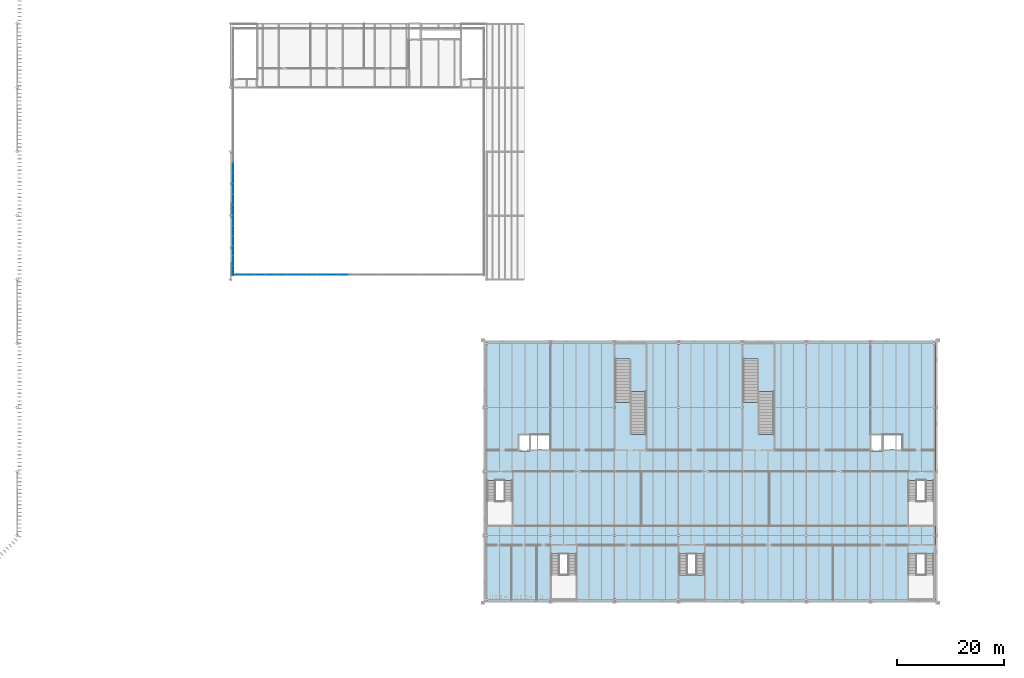
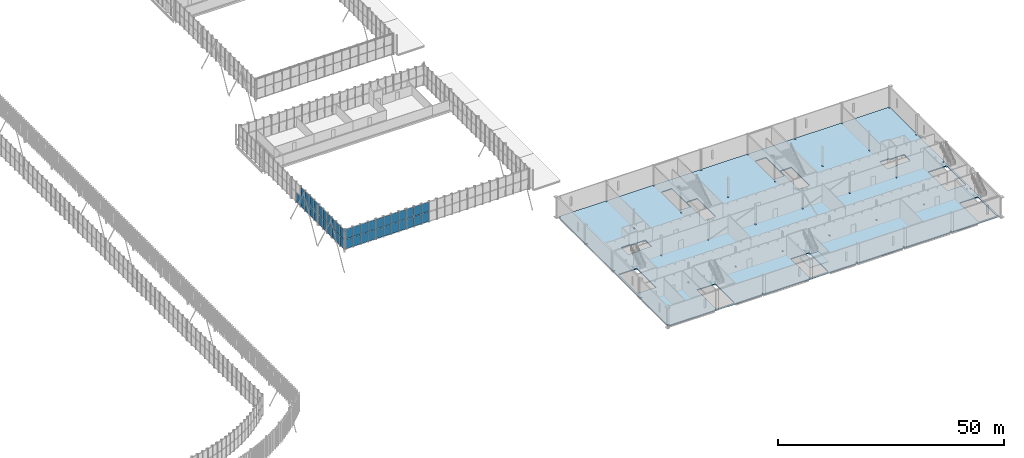
# One storey, part 91 of 170: 43 plates, 2 slabs, 6 elements without a shape of their own.
"""IFC4 building model written with IfcOpenShell, lengths in metres."""

from ifc_helpers import new_model, si_unit, direction, frame, origin, origin_2d, place, context, subcontext, project, spatial, polyline, rectangle, outline, extrude, material, layer, layer_set, type_object, element, aggregate, save


model = new_model("IFC4")

# Units and contexts
model_context = context("Model", 3, precision=1e-05, world=origin(), true_north=direction((0.0, 1.0)))
body_context = subcontext(model_context, "Body", "Model", "MODEL_VIEW")
ifc_project = project(units=[si_unit("LENGTHUNIT", "METRE"), si_unit("AREAUNIT", "SQUARE_METRE"), si_unit("VOLUMEUNIT", "CUBIC_METRE"), si_unit("PLANEANGLEUNIT", "RADIAN"), si_unit("MASSUNIT", "GRAM", prefix="KILO")], contexts=[model_context])

# Site, building, storey
site_placement = place(None, origin())
site = spatial("IfcSite", under=ifc_project, at=site_placement, CompositionType="ELEMENT")
building_placement = place(site_placement, origin())
building = spatial("IfcBuilding", under=site, at=building_placement, Name="Ravi Spectrum Wholesale Market", CompositionType="ELEMENT")
storey_placement = place(building_placement, frame((0.0, 0.0, 5.39990234375)))
storey = spatial("IfcBuildingStorey", under=building, at=storey_placement, Name="L01", CompositionType="ELEMENT", Elevation=5.39990234375)

# Slab
ifc_material_1 = material(Name="Concrete C35/45", Category="concrete")
ifc_layer_1 = layer(ifc_material_1, 0.25)
ifc_layer_set_1 = layer_set([ifc_layer_1], Name="Concrete C35/45")
slab_type_1 = type_object("IfcSlabType", Name="Composite deck slab 250", PredefinedType="FLOOR", material=ifc_layer_set_1)
slab_1_placement = place(storey_placement, frame((0.0, 0.0, -0.25)))
element("IfcSlab", 1, at=slab_1_placement, inside=storey, type_object=slab_type_1, Name="CS-SL-L01-001", PredefinedType="FLOOR", context=body_context, shape_type="SweptSolid", body=[
    extrude(outline(polyline([(197.75, 17.75), (197.75, 66.25), (282.25, 66.25), (282.25, 17.75), (197.75, 17.75)]), holes=[polyline([(197.85009765625, 17.830078125), (198.14990234375, 17.830078125), (198.14990234375, 18.169921875), (197.85009765625, 18.169921875), (197.85009765625, 17.830078125)]), polyline([(210.14990234375, 26.5400390625), (210.14990234375, 18.169921875), (209.85009765625, 18.169921875), (209.85009765625, 17.830078125), (210.14990234375, 17.830078125), (210.14990234375, 18.14990234375), (214.85009765625, 18.14990234375), (214.85009765625, 26.5400390625), (210.14990234375, 26.5400390625)]), polyline([(221.85009765625, 29.800048828125), (222.14990234375, 29.800048828125), (222.14990234375, 30.199951171875), (221.85009765625, 30.199951171875), (221.85009765625, 29.800048828125)]), polyline([(197.85009765625, 30.169921875), (197.85009765625, 29.830078125), (198.14990234375, 29.830078125), (198.14990234375, 30.169921875), (197.85009765625, 30.169921875)]), polyline([(209.85009765625, 30.199951171875), (209.85009765625, 29.800048828125), (210.14990234375, 29.800048828125), (210.14990234375, 30.199951171875), (209.85009765625, 30.199951171875)]), polyline([(198.14990234375, 40.340087890625), (198.14990234375, 31.949951171875), (202.85009765625, 31.949951171875), (202.85009765625, 40.340087890625), (198.14990234375, 40.340087890625)]), polyline([(209.85009765625, 42.199951171875), (209.85009765625, 41.800048828125), (210.14990234375, 41.800048828125), (210.14990234375, 42.199951171875), (209.85009765625, 42.199951171875)]), polyline([(221.85009765625, 42.199951171875), (221.85009765625, 41.800048828125), (222.14990234375, 41.800048828125), (222.14990234375, 42.199951171875), (221.85009765625, 42.199951171875)]), polyline([(197.85009765625, 42.169921875), (197.85009765625, 41.830078125), (198.14990234375, 41.830078125), (198.14990234375, 42.169921875), (197.85009765625, 42.169921875)]), polyline([(209.89990234375, 46.10009765625), (209.89990234375, 48.85009765625), (206.27490234375, 48.85009765625), (206.27490234375, 49.074951171875), (203.875, 49.074951171875), (203.875, 45.875), (206.27490234375, 45.875), (206.27490234375, 46.10009765625), (209.89990234375, 46.10009765625)]), polyline([(209.85009765625, 54.199951171875), (209.85009765625, 53.800048828125), (210.14990234375, 53.800048828125), (210.14990234375, 54.199951171875), (209.85009765625, 54.199951171875)]), polyline([(197.85009765625, 53.830078125), (198.14990234375, 53.830078125), (198.14990234375, 54.169921875), (197.85009765625, 54.169921875), (197.85009765625, 53.830078125)]), polyline([(221.85009765625, 54.199951171875), (221.85009765625, 53.800048828125), (222.14990234375, 53.800048828125), (222.14990234375, 54.199951171875), (221.85009765625, 54.199951171875)]), polyline([(197.85009765625, 66.169921875), (197.85009765625, 65.830078125), (198.14990234375, 65.830078125), (198.14990234375, 66.169921875), (197.85009765625, 66.169921875)]), polyline([(209.85009765625, 65.830078125), (210.14990234375, 65.830078125), (210.14990234375, 66.169921875), (209.85009765625, 66.169921875), (209.85009765625, 65.830078125)]), polyline([(221.85009765625, 66.169921875), (221.85009765625, 65.830078125), (222.14990234375, 65.830078125), (222.14990234375, 66.169921875), (221.85009765625, 66.169921875)]), polyline([(245.85009765625, 18.169921875), (245.85009765625, 17.830078125), (246.14990234375, 17.830078125), (246.14990234375, 18.169921875), (245.85009765625, 18.169921875)]), polyline([(257.85009765625, 17.830078125), (258.14990234375, 17.830078125), (258.14990234375, 18.169921875), (257.85009765625, 18.169921875), (257.85009765625, 17.830078125)]), polyline([(221.85009765625, 18.169921875), (221.85009765625, 17.830078125), (222.14990234375, 17.830078125), (222.14990234375, 18.169921875), (221.85009765625, 18.169921875)]), polyline([(233.85009765625, 18.169921875), (233.85009765625, 17.830078125), (234.14990234375, 17.830078125), (234.14990234375, 18.14990234375), (238.85009765625, 18.14990234375), (238.85009765625, 26.5400390625), (234.14990234375, 26.5400390625), (234.14990234375, 18.169921875), (233.85009765625, 18.169921875)]), polyline([(233.85009765625, 30.199951171875), (233.85009765625, 29.800048828125), (234.14990234375, 29.800048828125), (234.14990234375, 30.199951171875), (233.85009765625, 30.199951171875)]), polyline([(245.85009765625, 30.199951171875), (245.85009765625, 29.800048828125), (246.14990234375, 29.800048828125), (246.14990234375, 30.199951171875), (245.85009765625, 30.199951171875)]), polyline([(257.85009765625, 30.199951171875), (257.85009765625, 29.800048828125), (258.14990234375, 29.800048828125), (258.14990234375, 30.199951171875), (257.85009765625, 30.199951171875)]), polyline([(233.85009765625, 41.800048828125), (234.14990234375, 41.800048828125), (234.14990234375, 42.199951171875), (233.85009765625, 42.199951171875), (233.85009765625, 41.800048828125)]), polyline([(245.85009765625, 42.199951171875), (245.85009765625, 41.800048828125), (246.14990234375, 41.800048828125), (246.14990234375, 42.199951171875), (245.85009765625, 42.199951171875)]), polyline([(225.10009765625, 48.905029296875), (227.85009765625, 48.905029296875), (227.85009765625, 57.014892578125), (225.10009765625, 57.014892578125), (225.10009765625, 48.905029296875)]), polyline([(251.85009765625, 48.905029296875), (251.85009765625, 57.014892578125), (249.10009765625, 57.014892578125), (249.10009765625, 48.905029296875), (251.85009765625, 48.905029296875)]), polyline([(233.85009765625, 54.199951171875), (233.85009765625, 53.800048828125), (234.14990234375, 53.800048828125), (234.14990234375, 54.199951171875), (233.85009765625, 54.199951171875)]), polyline([(245.85009765625, 54.199951171875), (245.85009765625, 53.800048828125), (246.14990234375, 53.800048828125), (246.14990234375, 54.199951171875), (245.85009765625, 54.199951171875)]), polyline([(248.89990234375, 54.985107421875), (248.89990234375, 63.094970703125), (246.14990234375, 63.094970703125), (246.14990234375, 54.985107421875), (248.89990234375, 54.985107421875)]), polyline([(222.14990234375, 54.985107421875), (224.89990234375, 54.985107421875), (224.89990234375, 63.094970703125), (222.14990234375, 63.094970703125), (222.14990234375, 54.985107421875)]), polyline([(233.85009765625, 66.169921875), (233.85009765625, 65.830078125), (234.14990234375, 65.830078125), (234.14990234375, 66.169921875), (233.85009765625, 66.169921875)]), polyline([(245.85009765625, 66.169921875), (245.85009765625, 65.830078125), (246.14990234375, 65.830078125), (246.14990234375, 66.169921875), (245.85009765625, 66.169921875)]), polyline([(281.85009765625, 18.14990234375), (281.85009765625, 17.830078125), (282.14990234375, 17.830078125), (282.14990234375, 18.169921875), (281.85009765625, 18.169921875), (281.85009765625, 26.5400390625), (277.14990234375, 26.5400390625), (277.14990234375, 18.14990234375), (281.85009765625, 18.14990234375)]), polyline([(269.85009765625, 18.169921875), (269.85009765625, 17.830078125), (270.14990234375, 17.830078125), (270.14990234375, 18.169921875), (269.85009765625, 18.169921875)]), polyline([(281.85009765625, 29.830078125), (282.14990234375, 29.830078125), (282.14990234375, 30.169921875), (281.85009765625, 30.169921875), (281.85009765625, 29.830078125)]), polyline([(269.85009765625, 30.199951171875), (269.85009765625, 29.800048828125), (270.14990234375, 29.800048828125), (270.14990234375, 30.199951171875), (269.85009765625, 30.199951171875)]), polyline([(281.85009765625, 40.340087890625), (277.14990234375, 40.340087890625), (277.14990234375, 31.949951171875), (281.85009765625, 31.949951171875), (281.85009765625, 40.340087890625)]), polyline([(281.85009765625, 42.169921875), (281.85009765625, 41.830078125), (282.14990234375, 41.830078125), (282.14990234375, 42.169921875), (281.85009765625, 42.169921875)]), polyline([(269.85009765625, 42.199951171875), (269.85009765625, 41.800048828125), (270.14990234375, 41.800048828125), (270.14990234375, 42.199951171875), (269.85009765625, 42.199951171875)]), polyline([(257.85009765625, 42.199951171875), (257.85009765625, 41.800048828125), (258.14990234375, 41.800048828125), (258.14990234375, 42.199951171875), (257.85009765625, 42.199951171875)]), polyline([(269.875, 49.074951171875), (269.875, 45.875), (272.27490234375, 45.875), (272.27490234375, 46.10009765625), (275.89990234375, 46.10009765625), (275.89990234375, 48.85009765625), (272.27490234375, 48.85009765625), (272.27490234375, 49.074951171875), (269.875, 49.074951171875)]), polyline([(269.85009765625, 54.199951171875), (269.85009765625, 53.800048828125), (270.14990234375, 53.800048828125), (270.14990234375, 54.199951171875), (269.85009765625, 54.199951171875)]), polyline([(281.85009765625, 54.169921875), (281.85009765625, 53.830078125), (282.14990234375, 53.830078125), (282.14990234375, 54.169921875), (281.85009765625, 54.169921875)]), polyline([(257.85009765625, 54.199951171875), (257.85009765625, 53.800048828125), (258.14990234375, 53.800048828125), (258.14990234375, 54.199951171875), (257.85009765625, 54.199951171875)]), polyline([(281.85009765625, 66.169921875), (281.85009765625, 65.830078125), (282.14990234375, 65.830078125), (282.14990234375, 66.169921875), (281.85009765625, 66.169921875)]), polyline([(269.85009765625, 66.169921875), (269.85009765625, 65.830078125), (270.14990234375, 65.830078125), (270.14990234375, 66.169921875), (269.85009765625, 66.169921875)]), polyline([(257.85009765625, 66.169921875), (257.85009765625, 65.830078125), (258.14990234375, 65.830078125), (258.14990234375, 66.169921875), (257.85009765625, 66.169921875)])]), origin(), (0.0, 0.0, 1.0), 0.25),
])

# Curtain wall, plates
ifc_material_2 = material(Name="Aluminium 6063-T6", Category="aluminium")
ifc_layer_2 = layer(ifc_material_2, 0.14990234375)
ifc_layer_set_2 = layer_set([ifc_layer_2], Name="Aluminium 6063-T6")
curtain_wall_type = type_object("IfcCurtainWallType", Name="Curtain wall 150", PredefinedType="NOTDEFINED", material=ifc_layer_set_2)
curtain_wall_1_placement = place(storey_placement, origin())
curtain_wall_1 = element("IfcCurtainWall", 2, at=curtain_wall_1_placement, inside=storey, type_object=curtain_wall_type, Name="H2-CW-L01-001", PredefinedType="NOTDEFINED")
ifc_material_3 = material(Name="Toughened glass", Category="glass")
ifc_layer_3 = layer(ifc_material_3, 0.028076171875)
ifc_layer_set_3 = layer_set([ifc_layer_3], Name="Toughened glass")
plate_type_1 = type_object("IfcPlateType", Name="Glazing panel 28", PredefinedType="CURTAIN_PANEL", material=ifc_layer_set_3)
plate_1_placement = place(storey_placement, frame((150.453125, 79.66259765625, 0.06005859375), z_axis=(0.0, 0.0, 1.0), x_axis=(0.0, 1.0, 0.0)))
plate_1 = element("IfcPlate", 3, at=plate_1_placement, type_object=plate_type_1, Name="H2-CW-L01-001 panel 1.1", PredefinedType="CURTAIN_PANEL", context=body_context, shape_type="SweptSolid", body=[
    extrude(rectangle(XDim=1.784912109375, YDim=0.028076171875, at=origin_2d()), origin(), (0.0, 0.0, 1.0), 2.610107421875),
])
plate_2_placement = place(storey_placement, frame((150.453125, 79.66259765625, 2.72998046875), z_axis=(0.0, 0.0, 1.0), x_axis=(0.0, 1.0, 0.0)))
plate_2 = element("IfcPlate", 4, at=plate_2_placement, type_object=plate_type_1, Name="H2-CW-L01-001 panel 1.2", PredefinedType="CURTAIN_PANEL", context=body_context, shape_type="SweptSolid", body=[
    extrude(rectangle(XDim=1.784912109375, YDim=0.028076171875, at=origin_2d()), origin(), (0.0, 0.0, 1.0), 2.610107421875),
])
plate_3_placement = place(storey_placement, frame((150.453125, 81.5224609375, 2.72998046875), z_axis=(0.0, 0.0, 1.0), x_axis=(0.0, 1.0, 0.0)))
plate_3 = element("IfcPlate", 5, at=plate_3_placement, type_object=plate_type_1, Name="H2-CW-L01-001 panel 2.2", PredefinedType="CURTAIN_PANEL", context=body_context, shape_type="SweptSolid", body=[
    extrude(rectangle(XDim=1.81494140625, YDim=0.028076171875, at=origin_2d()), origin(), (0.0, 0.0, 1.0), 2.610107421875),
])
plate_4_placement = place(storey_placement, frame((150.453125, 83.3974609375, 0.06005859375), z_axis=(0.0, 0.0, 1.0), x_axis=(0.0, 1.0, 0.0)))
plate_4 = element("IfcPlate", 6, at=plate_4_placement, type_object=plate_type_1, Name="H2-CW-L01-001 panel 3.1", PredefinedType="CURTAIN_PANEL", context=body_context, shape_type="SweptSolid", body=[
    extrude(rectangle(XDim=1.81494140625, YDim=0.028076171875, at=origin_2d()), origin(), (0.0, 0.0, 1.0), 2.610107421875),
])
plate_5_placement = place(storey_placement, frame((150.453125, 87.1474609375, 2.72998046875), z_axis=(0.0, 0.0, 1.0), x_axis=(0.0, 1.0, 0.0)))
plate_5 = element("IfcPlate", 7, at=plate_5_placement, type_object=plate_type_1, Name="H2-CW-L01-001 panel 5.2", PredefinedType="CURTAIN_PANEL", context=body_context, shape_type="SweptSolid", body=[
    extrude(rectangle(XDim=1.81494140625, YDim=0.028076171875, at=origin_2d()), origin(), (0.0, 0.0, 1.0), 2.610107421875),
])
plate_6_placement = place(storey_placement, frame((150.453125, 89.007568359375, 0.06005859375), z_axis=(0.0, 0.0, 1.0), x_axis=(0.0, 1.0, 0.0)))
plate_6 = element("IfcPlate", 8, at=plate_6_placement, type_object=plate_type_1, Name="H2-CW-L01-001 panel 6.1", PredefinedType="CURTAIN_PANEL", context=body_context, shape_type="SweptSolid", body=[
    extrude(rectangle(XDim=1.784912109375, YDim=0.028076171875, at=origin_2d()), origin(), (0.0, 0.0, 1.0), 2.610107421875),
])

curtain_wall_2_placement = place(storey_placement, origin())
curtain_wall_2 = element("IfcCurtainWall", 9, at=curtain_wall_2_placement, inside=storey, type_object=curtain_wall_type, Name="H2-CW-L01-002", PredefinedType="NOTDEFINED")
plate_7_placement = place(storey_placement, frame((150.453125, 91.04833984375, 0.06005859375), z_axis=(0.0, 0.0, 1.0), x_axis=(0.0, 1.0, 0.0)))
plate_7 = element("IfcPlate", 10, at=plate_7_placement, type_object=plate_type_1, Name="H2-CW-L01-002 panel 1.1", PredefinedType="CURTAIN_PANEL", context=body_context, shape_type="SweptSolid", body=[
    extrude(rectangle(XDim=1.896728515625, YDim=0.028076171875, at=origin_2d()), origin(), (0.0, 0.0, 1.0), 2.610107421875),
])
plate_8_placement = place(storey_placement, frame((150.453125, 93.02001953125, 2.72998046875), z_axis=(0.0, 0.0, 1.0), x_axis=(0.0, 1.0, 0.0)))
plate_8 = element("IfcPlate", 11, at=plate_8_placement, type_object=plate_type_1, Name="H2-CW-L01-002 panel 2.2", PredefinedType="CURTAIN_PANEL", context=body_context, shape_type="SweptSolid", body=[
    extrude(rectangle(XDim=1.9267578125, YDim=0.028076171875, at=origin_2d()), origin(), (0.0, 0.0, 1.0), 2.610107421875),
])

curtain_wall_3_placement = place(storey_placement, origin())
curtain_wall_3 = element("IfcCurtainWall", 12, at=curtain_wall_3_placement, inside=storey, type_object=curtain_wall_type, Name="H2-CW-L01-009", PredefinedType="NOTDEFINED")
plate_9_placement = place(storey_placement, frame((151.69970703125, 78.89990234375, 0.06005859375), z_axis=(0.0, 0.0, 1.0), x_axis=(1.0, 0.0, 0.0)))
plate_9 = element("IfcPlate", 13, at=plate_9_placement, type_object=plate_type_1, Name="H2-CW-L01-009 panel 1.1", PredefinedType="CURTAIN_PANEL", context=body_context, shape_type="SweptSolid", body=[
    extrude(rectangle(XDim=1.8330078125, YDim=0.028076171875, at=origin_2d()), origin(), (0.0, 0.0, 1.0), 2.610107421875),
])
plate_10_placement = place(storey_placement, frame((151.69970703125, 78.89990234375, 2.72998046875), z_axis=(0.0, 0.0, 1.0), x_axis=(1.0, 0.0, 0.0)))
plate_10 = element("IfcPlate", 14, at=plate_10_placement, type_object=plate_type_1, Name="H2-CW-L01-009 panel 1.2", PredefinedType="CURTAIN_PANEL", context=body_context, shape_type="SweptSolid", body=[
    extrude(rectangle(XDim=1.8330078125, YDim=0.028076171875, at=origin_2d()), origin(), (0.0, 0.0, 1.0), 2.610107421875),
])
plate_11_placement = place(storey_placement, frame((153.60791015625, 78.89990234375, 0.06005859375), z_axis=(0.0, 0.0, 1.0), x_axis=(1.0, 0.0, 0.0)))
plate_11 = element("IfcPlate", 15, at=plate_11_placement, type_object=plate_type_1, Name="H2-CW-L01-009 panel 2.1", PredefinedType="CURTAIN_PANEL", context=body_context, shape_type="SweptSolid", body=[
    extrude(rectangle(XDim=1.863037109375, YDim=0.028076171875, at=origin_2d()), origin(), (0.0, 0.0, 1.0), 2.610107421875),
])
plate_12_placement = place(storey_placement, frame((153.60791015625, 78.89990234375, 2.72998046875), z_axis=(0.0, 0.0, 1.0), x_axis=(1.0, 0.0, 0.0)))
plate_12 = element("IfcPlate", 16, at=plate_12_placement, type_object=plate_type_1, Name="H2-CW-L01-009 panel 2.2", PredefinedType="CURTAIN_PANEL", context=body_context, shape_type="SweptSolid", body=[
    extrude(rectangle(XDim=1.863037109375, YDim=0.028076171875, at=origin_2d()), origin(), (0.0, 0.0, 1.0), 2.610107421875),
])
plate_13_placement = place(storey_placement, frame((155.53076171875, 78.89990234375, 0.06005859375), z_axis=(0.0, 0.0, 1.0), x_axis=(1.0, 0.0, 0.0)))
plate_13 = element("IfcPlate", 17, at=plate_13_placement, type_object=plate_type_1, Name="H2-CW-L01-009 panel 3.1", PredefinedType="CURTAIN_PANEL", context=body_context, shape_type="SweptSolid", body=[
    extrude(rectangle(XDim=1.863037109375, YDim=0.028076171875, at=origin_2d()), origin(), (0.0, 0.0, 1.0), 2.610107421875),
])
plate_14_placement = place(storey_placement, frame((155.53076171875, 78.89990234375, 2.72998046875), z_axis=(0.0, 0.0, 1.0), x_axis=(1.0, 0.0, 0.0)))
plate_14 = element("IfcPlate", 18, at=plate_14_placement, type_object=plate_type_1, Name="H2-CW-L01-009 panel 3.2", PredefinedType="CURTAIN_PANEL", context=body_context, shape_type="SweptSolid", body=[
    extrude(rectangle(XDim=1.863037109375, YDim=0.028076171875, at=origin_2d()), origin(), (0.0, 0.0, 1.0), 2.610107421875),
])
plate_15_placement = place(storey_placement, frame((157.43896484375, 78.89990234375, 0.06005859375), z_axis=(0.0, 0.0, 1.0), x_axis=(1.0, 0.0, 0.0)))
plate_15 = element("IfcPlate", 19, at=plate_15_placement, type_object=plate_type_1, Name="H2-CW-L01-009 panel 4.1", PredefinedType="CURTAIN_PANEL", context=body_context, shape_type="SweptSolid", body=[
    extrude(rectangle(XDim=1.8330078125, YDim=0.028076171875, at=origin_2d()), origin(), (0.0, 0.0, 1.0), 2.610107421875),
])
plate_16_placement = place(storey_placement, frame((157.43896484375, 78.89990234375, 2.72998046875), z_axis=(0.0, 0.0, 1.0), x_axis=(1.0, 0.0, 0.0)))
plate_16 = element("IfcPlate", 20, at=plate_16_placement, type_object=plate_type_1, Name="H2-CW-L01-009 panel 4.2", PredefinedType="CURTAIN_PANEL", context=body_context, shape_type="SweptSolid", body=[
    extrude(rectangle(XDim=1.8330078125, YDim=0.028076171875, at=origin_2d()), origin(), (0.0, 0.0, 1.0), 2.610107421875),
])
aggregate(curtain_wall_3, [plate_9, plate_10, plate_11, plate_12, plate_13, plate_14, plate_15, plate_16])

curtain_wall_4_placement = place(storey_placement, origin())
curtain_wall_4 = element("IfcCurtainWall", 21, at=curtain_wall_4_placement, inside=storey, type_object=curtain_wall_type, Name="H2-CW-L01-010", PredefinedType="NOTDEFINED")
plate_17_placement = place(storey_placement, frame((159.471923828125, 78.89990234375, 0.06005859375), z_axis=(0.0, 0.0, 1.0), x_axis=(1.0, 0.0, 0.0)))
plate_17 = element("IfcPlate", 22, at=plate_17_placement, type_object=plate_type_1, Name="H2-CW-L01-010 panel 1.1", PredefinedType="CURTAIN_PANEL", context=body_context, shape_type="SweptSolid", body=[
    extrude(rectangle(XDim=1.8330078125, YDim=0.028076171875, at=origin_2d()), origin(), (0.0, 0.0, 1.0), 2.610107421875),
])
plate_18_placement = place(storey_placement, frame((159.471923828125, 78.89990234375, 2.72998046875), z_axis=(0.0, 0.0, 1.0), x_axis=(1.0, 0.0, 0.0)))
plate_18 = element("IfcPlate", 23, at=plate_18_placement, type_object=plate_type_1, Name="H2-CW-L01-010 panel 1.2", PredefinedType="CURTAIN_PANEL", context=body_context, shape_type="SweptSolid", body=[
    extrude(rectangle(XDim=1.8330078125, YDim=0.028076171875, at=origin_2d()), origin(), (0.0, 0.0, 1.0), 2.610107421875),
])
plate_19_placement = place(storey_placement, frame((161.380126953125, 78.89990234375, 0.06005859375), z_axis=(0.0, 0.0, 1.0), x_axis=(1.0, 0.0, 0.0)))
plate_19 = element("IfcPlate", 24, at=plate_19_placement, type_object=plate_type_1, Name="H2-CW-L01-010 panel 2.1", PredefinedType="CURTAIN_PANEL", context=body_context, shape_type="SweptSolid", body=[
    extrude(rectangle(XDim=1.863037109375, YDim=0.028076171875, at=origin_2d()), origin(), (0.0, 0.0, 1.0), 2.610107421875),
])
plate_20_placement = place(storey_placement, frame((161.380126953125, 78.89990234375, 2.72998046875), z_axis=(0.0, 0.0, 1.0), x_axis=(1.0, 0.0, 0.0)))
plate_20 = element("IfcPlate", 25, at=plate_20_placement, type_object=plate_type_1, Name="H2-CW-L01-010 panel 2.2", PredefinedType="CURTAIN_PANEL", context=body_context, shape_type="SweptSolid", body=[
    extrude(rectangle(XDim=1.863037109375, YDim=0.028076171875, at=origin_2d()), origin(), (0.0, 0.0, 1.0), 2.610107421875),
])
plate_21_placement = place(storey_placement, frame((163.30322265625, 78.89990234375, 0.06005859375), z_axis=(0.0, 0.0, 1.0), x_axis=(1.0, 0.0, 0.0)))
plate_21 = element("IfcPlate", 26, at=plate_21_placement, type_object=plate_type_1, Name="H2-CW-L01-010 panel 3.1", PredefinedType="CURTAIN_PANEL", context=body_context, shape_type="SweptSolid", body=[
    extrude(rectangle(XDim=1.863037109375, YDim=0.028076171875, at=origin_2d()), origin(), (0.0, 0.0, 1.0), 2.610107421875),
])
plate_22_placement = place(storey_placement, frame((163.30322265625, 78.89990234375, 2.72998046875), z_axis=(0.0, 0.0, 1.0), x_axis=(1.0, 0.0, 0.0)))
plate_22 = element("IfcPlate", 27, at=plate_22_placement, type_object=plate_type_1, Name="H2-CW-L01-010 panel 3.2", PredefinedType="CURTAIN_PANEL", context=body_context, shape_type="SweptSolid", body=[
    extrude(rectangle(XDim=1.863037109375, YDim=0.028076171875, at=origin_2d()), origin(), (0.0, 0.0, 1.0), 2.610107421875),
])
plate_23_placement = place(storey_placement, frame((165.211181640625, 78.89990234375, 0.06005859375), z_axis=(0.0, 0.0, 1.0), x_axis=(1.0, 0.0, 0.0)))
plate_23 = element("IfcPlate", 28, at=plate_23_placement, type_object=plate_type_1, Name="H2-CW-L01-010 panel 4.1", PredefinedType="CURTAIN_PANEL", context=body_context, shape_type="SweptSolid", body=[
    extrude(rectangle(XDim=1.8330078125, YDim=0.028076171875, at=origin_2d()), origin(), (0.0, 0.0, 1.0), 2.610107421875),
])
plate_24_placement = place(storey_placement, frame((165.211181640625, 78.89990234375, 2.72998046875), z_axis=(0.0, 0.0, 1.0), x_axis=(1.0, 0.0, 0.0)))
plate_24 = element("IfcPlate", 29, at=plate_24_placement, type_object=plate_type_1, Name="H2-CW-L01-010 panel 4.2", PredefinedType="CURTAIN_PANEL", context=body_context, shape_type="SweptSolid", body=[
    extrude(rectangle(XDim=1.8330078125, YDim=0.028076171875, at=origin_2d()), origin(), (0.0, 0.0, 1.0), 2.610107421875),
])
aggregate(curtain_wall_4, [plate_17, plate_18, plate_19, plate_20, plate_21, plate_22, plate_23, plate_24])

curtain_wall_5_placement = place(storey_placement, origin())
curtain_wall_5 = element("IfcCurtainWall", 30, at=curtain_wall_5_placement, inside=storey, type_object=curtain_wall_type, Name="H2-CW-L01-011", PredefinedType="NOTDEFINED")
plate_25_placement = place(storey_placement, frame((167.244384765625, 78.89990234375, 0.06005859375), z_axis=(0.0, 0.0, 1.0), x_axis=(1.0, 0.0, 0.0)))
plate_25 = element("IfcPlate", 31, at=plate_25_placement, type_object=plate_type_1, Name="H2-CW-L01-011 panel 1.1", PredefinedType="CURTAIN_PANEL", context=body_context, shape_type="SweptSolid", body=[
    extrude(rectangle(XDim=1.8330078125, YDim=0.028076171875, at=origin_2d()), origin(), (0.0, 0.0, 1.0), 2.610107421875),
])
plate_26_placement = place(storey_placement, frame((167.244384765625, 78.89990234375, 2.72998046875), z_axis=(0.0, 0.0, 1.0), x_axis=(1.0, 0.0, 0.0)))
plate_26 = element("IfcPlate", 32, at=plate_26_placement, type_object=plate_type_1, Name="H2-CW-L01-011 panel 1.2", PredefinedType="CURTAIN_PANEL", context=body_context, shape_type="SweptSolid", body=[
    extrude(rectangle(XDim=1.8330078125, YDim=0.028076171875, at=origin_2d()), origin(), (0.0, 0.0, 1.0), 2.610107421875),
])
plate_27_placement = place(storey_placement, frame((169.15234375, 78.89990234375, 0.06005859375), z_axis=(0.0, 0.0, 1.0), x_axis=(1.0, 0.0, 0.0)))
plate_27 = element("IfcPlate", 33, at=plate_27_placement, type_object=plate_type_1, Name="H2-CW-L01-011 panel 2.1", PredefinedType="CURTAIN_PANEL", context=body_context, shape_type="SweptSolid", body=[
    extrude(rectangle(XDim=1.863037109375, YDim=0.028076171875, at=origin_2d()), origin(), (0.0, 0.0, 1.0), 2.610107421875),
])
plate_28_placement = place(storey_placement, frame((169.15234375, 78.89990234375, 2.72998046875), z_axis=(0.0, 0.0, 1.0), x_axis=(1.0, 0.0, 0.0)))
plate_28 = element("IfcPlate", 34, at=plate_28_placement, type_object=plate_type_1, Name="H2-CW-L01-011 panel 2.2", PredefinedType="CURTAIN_PANEL", context=body_context, shape_type="SweptSolid", body=[
    extrude(rectangle(XDim=1.863037109375, YDim=0.028076171875, at=origin_2d()), origin(), (0.0, 0.0, 1.0), 2.610107421875),
])
plate_29_placement = place(storey_placement, frame((171.075439453125, 78.89990234375, 0.06005859375), z_axis=(0.0, 0.0, 1.0), x_axis=(1.0, 0.0, 0.0)))
plate_29 = element("IfcPlate", 35, at=plate_29_placement, type_object=plate_type_1, Name="H2-CW-L01-011 panel 3.1", PredefinedType="CURTAIN_PANEL", context=body_context, shape_type="SweptSolid", body=[
    extrude(rectangle(XDim=1.863037109375, YDim=0.028076171875, at=origin_2d()), origin(), (0.0, 0.0, 1.0), 2.610107421875),
])
plate_30_placement = place(storey_placement, frame((171.075439453125, 78.89990234375, 2.72998046875), z_axis=(0.0, 0.0, 1.0), x_axis=(1.0, 0.0, 0.0)))
plate_30 = element("IfcPlate", 36, at=plate_30_placement, type_object=plate_type_1, Name="H2-CW-L01-011 panel 3.2", PredefinedType="CURTAIN_PANEL", context=body_context, shape_type="SweptSolid", body=[
    extrude(rectangle(XDim=1.863037109375, YDim=0.028076171875, at=origin_2d()), origin(), (0.0, 0.0, 1.0), 2.610107421875),
])
aggregate(curtain_wall_5, [plate_25, plate_26, plate_27, plate_28, plate_29, plate_30])

# Plate
ifc_material_4 = material(Name="Insulated panel")
ifc_layer_4 = layer(ifc_material_4, 0.028076171875)
ifc_layer_set_4 = layer_set([ifc_layer_4], Name="Insulated panel")
plate_type_2 = type_object("IfcPlateType", Name="Opaque insulated panel 28", PredefinedType="CURTAIN_PANEL", material=ifc_layer_set_4)
plate_31_placement = place(storey_placement, frame((150.453125, 81.5224609375, 0.06005859375), z_axis=(0.0, 0.0, 1.0), x_axis=(0.0, 1.0, 0.0)))
plate_31 = element("IfcPlate", 37, at=plate_31_placement, type_object=plate_type_2, Name="H2-CW-L01-001 panel 2.1", PredefinedType="CURTAIN_PANEL", context=body_context, shape_type="SweptSolid", body=[
    extrude(rectangle(XDim=1.81494140625, YDim=0.028076171875, at=origin_2d()), origin(), (0.0, 0.0, 1.0), 2.610107421875),
])

plate_32_placement = place(storey_placement, frame((150.453125, 83.3974609375, 2.72998046875), z_axis=(0.0, 0.0, 1.0), x_axis=(0.0, 1.0, 0.0)))
plate_32 = element("IfcPlate", 38, at=plate_32_placement, type_object=plate_type_2, Name="H2-CW-L01-001 panel 3.2", PredefinedType="CURTAIN_PANEL", context=body_context, shape_type="SweptSolid", body=[
    extrude(rectangle(XDim=1.81494140625, YDim=0.028076171875, at=origin_2d()), origin(), (0.0, 0.0, 1.0), 2.610107421875),
])

plate_33_placement = place(storey_placement, frame((150.453125, 85.2724609375, 0.06005859375), z_axis=(0.0, 0.0, 1.0), x_axis=(0.0, 1.0, 0.0)))
plate_33 = element("IfcPlate", 39, at=plate_33_placement, type_object=plate_type_2, Name="H2-CW-L01-001 panel 4.1", PredefinedType="CURTAIN_PANEL", context=body_context, shape_type="SweptSolid", body=[
    extrude(rectangle(XDim=1.81494140625, YDim=0.028076171875, at=origin_2d()), origin(), (0.0, 0.0, 1.0), 2.610107421875),
])

plate_34_placement = place(storey_placement, frame((150.453125, 85.2724609375, 2.72998046875), z_axis=(0.0, 0.0, 1.0), x_axis=(0.0, 1.0, 0.0)))
plate_34 = element("IfcPlate", 40, at=plate_34_placement, type_object=plate_type_2, Name="H2-CW-L01-001 panel 4.2", PredefinedType="CURTAIN_PANEL", context=body_context, shape_type="SweptSolid", body=[
    extrude(rectangle(XDim=1.81494140625, YDim=0.028076171875, at=origin_2d()), origin(), (0.0, 0.0, 1.0), 2.610107421875),
])

plate_35_placement = place(storey_placement, frame((150.453125, 87.1474609375, 0.06005859375), z_axis=(0.0, 0.0, 1.0), x_axis=(0.0, 1.0, 0.0)))
plate_35 = element("IfcPlate", 41, at=plate_35_placement, type_object=plate_type_2, Name="H2-CW-L01-001 panel 5.1", PredefinedType="CURTAIN_PANEL", context=body_context, shape_type="SweptSolid", body=[
    extrude(rectangle(XDim=1.81494140625, YDim=0.028076171875, at=origin_2d()), origin(), (0.0, 0.0, 1.0), 2.610107421875),
])

plate_36_placement = place(storey_placement, frame((150.453125, 89.007568359375, 2.72998046875), z_axis=(0.0, 0.0, 1.0), x_axis=(0.0, 1.0, 0.0)))
plate_36 = element("IfcPlate", 42, at=plate_36_placement, type_object=plate_type_2, Name="H2-CW-L01-001 panel 6.2", PredefinedType="CURTAIN_PANEL", context=body_context, shape_type="SweptSolid", body=[
    extrude(rectangle(XDim=1.784912109375, YDim=0.028076171875, at=origin_2d()), origin(), (0.0, 0.0, 1.0), 2.610107421875),
])

aggregate(curtain_wall_1, [plate_1, plate_2, plate_31, plate_3, plate_4, plate_32, plate_33, plate_34, plate_35, plate_5, plate_6, plate_36])

plate_37_placement = place(storey_placement, frame((150.453125, 91.04833984375, 2.72998046875), z_axis=(0.0, 0.0, 1.0), x_axis=(0.0, 1.0, 0.0)))
plate_37 = element("IfcPlate", 43, at=plate_37_placement, type_object=plate_type_2, Name="H2-CW-L01-002 panel 1.2", PredefinedType="CURTAIN_PANEL", context=body_context, shape_type="SweptSolid", body=[
    extrude(rectangle(XDim=1.896728515625, YDim=0.028076171875, at=origin_2d()), origin(), (0.0, 0.0, 1.0), 2.610107421875),
])

plate_38_placement = place(storey_placement, frame((150.453125, 93.02001953125, 0.06005859375), z_axis=(0.0, 0.0, 1.0), x_axis=(0.0, 1.0, 0.0)))
plate_38 = element("IfcPlate", 44, at=plate_38_placement, type_object=plate_type_2, Name="H2-CW-L01-002 panel 2.1", PredefinedType="CURTAIN_PANEL", context=body_context, shape_type="SweptSolid", body=[
    extrude(rectangle(XDim=1.9267578125, YDim=0.028076171875, at=origin_2d()), origin(), (0.0, 0.0, 1.0), 2.610107421875),
])

plate_39_placement = place(storey_placement, frame((150.453125, 95.006591796875, 0.06005859375), z_axis=(0.0, 0.0, 1.0), x_axis=(0.0, 1.0, 0.0)))
plate_39 = element("IfcPlate", 45, at=plate_39_placement, type_object=plate_type_2, Name="H2-CW-L01-002 panel 3.1", PredefinedType="CURTAIN_PANEL", context=body_context, shape_type="SweptSolid", body=[
    extrude(rectangle(XDim=1.9267578125, YDim=0.028076171875, at=origin_2d()), origin(), (0.0, 0.0, 1.0), 2.610107421875),
])

plate_40_placement = place(storey_placement, frame((150.453125, 95.006591796875, 2.72998046875), z_axis=(0.0, 0.0, 1.0), x_axis=(0.0, 1.0, 0.0)))
plate_40 = element("IfcPlate", 46, at=plate_40_placement, type_object=plate_type_2, Name="H2-CW-L01-002 panel 3.2", PredefinedType="CURTAIN_PANEL", context=body_context, shape_type="SweptSolid", body=[
    extrude(rectangle(XDim=1.9267578125, YDim=0.028076171875, at=origin_2d()), origin(), (0.0, 0.0, 1.0), 2.610107421875),
])

plate_41_placement = place(storey_placement, frame((150.453125, 96.993408203125, 0.06005859375), z_axis=(0.0, 0.0, 1.0), x_axis=(0.0, 1.0, 0.0)))
plate_41 = element("IfcPlate", 47, at=plate_41_placement, type_object=plate_type_2, Name="H2-CW-L01-002 panel 4.1", PredefinedType="CURTAIN_PANEL", context=body_context, shape_type="SweptSolid", body=[
    extrude(rectangle(XDim=1.9267578125, YDim=0.028076171875, at=origin_2d()), origin(), (0.0, 0.0, 1.0), 2.610107421875),
])

plate_42_placement = place(storey_placement, frame((150.453125, 96.993408203125, 2.72998046875), z_axis=(0.0, 0.0, 1.0), x_axis=(0.0, 1.0, 0.0)))
plate_42 = element("IfcPlate", 48, at=plate_42_placement, type_object=plate_type_2, Name="H2-CW-L01-002 panel 4.2", PredefinedType="CURTAIN_PANEL", context=body_context, shape_type="SweptSolid", body=[
    extrude(rectangle(XDim=1.9267578125, YDim=0.028076171875, at=origin_2d()), origin(), (0.0, 0.0, 1.0), 2.610107421875),
])

plate_43_placement = place(storey_placement, frame((150.453125, 98.97998046875, 0.06005859375), z_axis=(0.0, 0.0, 1.0), x_axis=(0.0, 1.0, 0.0)))
plate_43 = element("IfcPlate", 49, at=plate_43_placement, type_object=plate_type_2, Name="H2-CW-L01-002 panel 5.1", PredefinedType="CURTAIN_PANEL", context=body_context, shape_type="SweptSolid", body=[
    extrude(rectangle(XDim=1.9267578125, YDim=0.028076171875, at=origin_2d()), origin(), (0.0, 0.0, 1.0), 2.610107421875),
])

aggregate(curtain_wall_2, [plate_7, plate_37, plate_38, plate_8, plate_39, plate_40, plate_41, plate_42, plate_43])

# Stair, slab
ifc_material_5 = material(Name="Concrete C35/45", Category="concrete")
stair_type = type_object("IfcStairType", Name="Stair", PredefinedType="NOTDEFINED", material=ifc_material_5)
stair_placement = place(storey_placement, origin())
stair = element("IfcStair", 50, at=stair_placement, inside=storey, type_object=stair_type, Name="L01 S-CS-4", PredefinedType="HALF_TURN_STAIR")
ifc_material_6 = material(Name="Concrete C35/45", Category="concrete")
ifc_layer_5 = layer(ifc_material_6, 0.199951171875)
ifc_layer_set_5 = layer_set([ifc_layer_5], Name="Concrete C35/45")
slab_type_2 = type_object("IfcSlabType", Name="Stair landing 200", PredefinedType="LANDING", material=ifc_layer_set_5)
slab_2_placement = place(storey_placement, frame((0.0, 0.0, 2.5)))
slab_2 = element("IfcSlab", 51, at=slab_2_placement, type_object=slab_type_2, Name="S-CS-4 landing 1", PredefinedType="LANDING", context=body_context, shape_type="SweptSolid", body=[
    extrude(outline(polyline([(234.125, 22.6298828125), (234.125, 18.125), (238.875, 18.125), (238.875, 22.6298828125), (234.125, 22.6298828125)])), origin(), (0.0, 0.0, 1.0), 0.2001953125),
])
aggregate(stair, [slab_2])

save(model, "model.ifc")
